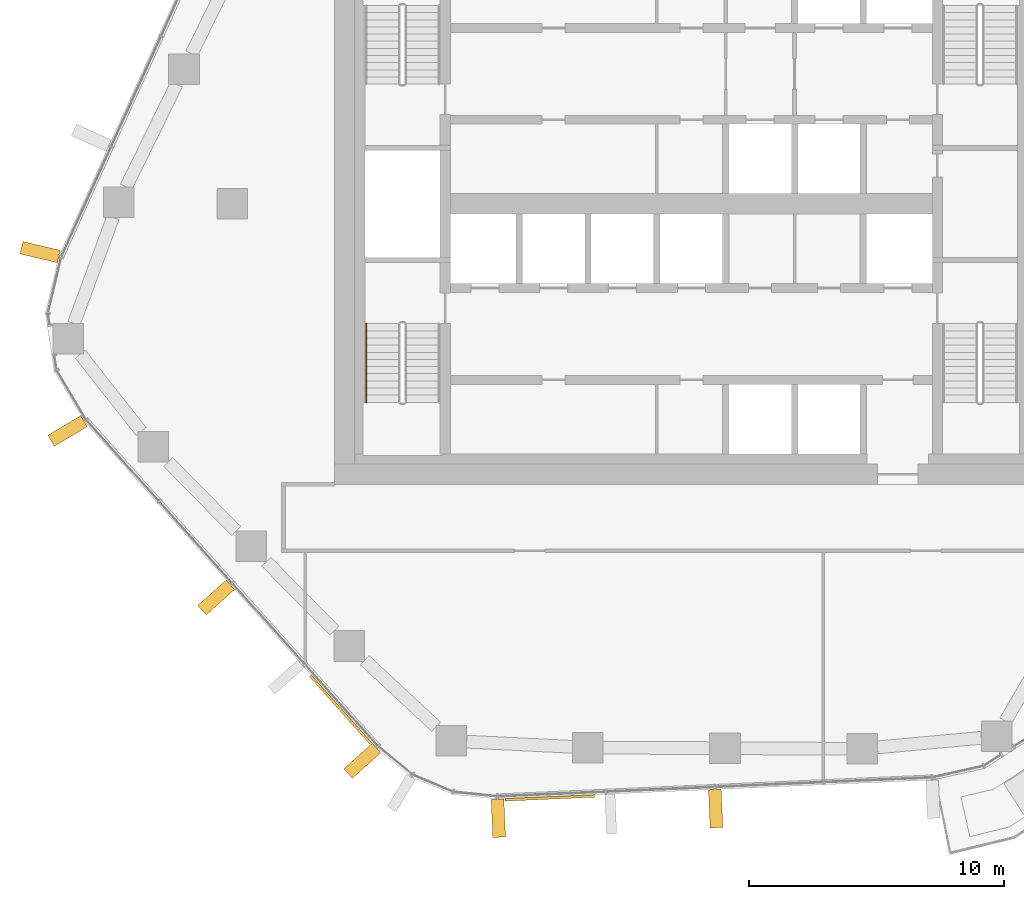
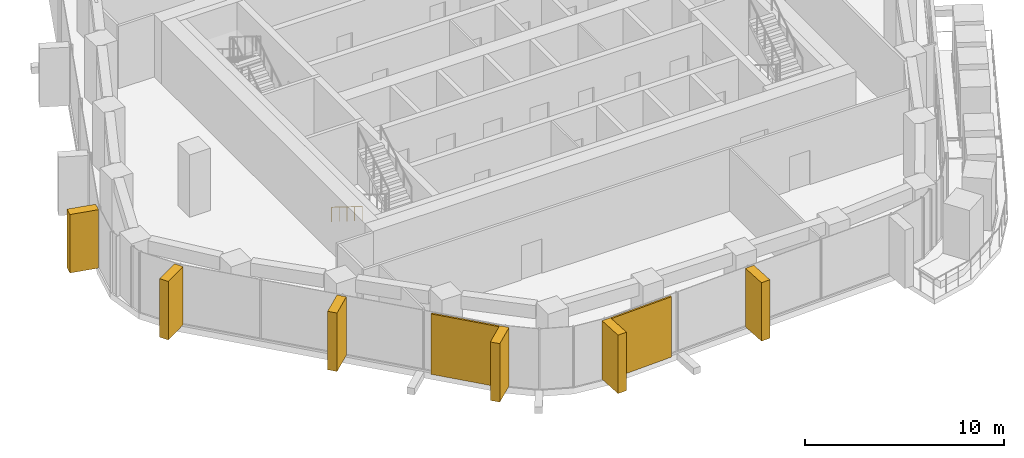
# One storey, part 14 of 17: 8 coverings, 1 railing, 4 elements without a shape of their own.
"""IFC4 building model written with IfcOpenShell, lengths in metres."""

from ifc_helpers import new_model, si_unit, direction, frame, origin, origin_2d, place, context, subcontext, project, spatial, rectangle, circle, extrude, material, layer, layer_set, material_profile, profile_set, type_object, element, aggregate, save


model = new_model("IFC4")

# Units and contexts
model_context = context("Model", 3, precision=1e-05, world=origin(), true_north=direction((0.0, 1.0)))
body_context = subcontext(model_context, "Body", "Model", "MODEL_VIEW")
ifc_project = project(units=[si_unit("LENGTHUNIT", "METRE"), si_unit("AREAUNIT", "SQUARE_METRE"), si_unit("VOLUMEUNIT", "CUBIC_METRE"), si_unit("PLANEANGLEUNIT", "RADIAN"), si_unit("MASSUNIT", "GRAM", prefix="KILO")], contexts=[model_context])

# Site, building, storey
site_placement = place(None, origin())
site = spatial("IfcSite", under=ifc_project, at=site_placement, CompositionType="ELEMENT")
building_placement = place(site_placement, origin())
building = spatial("IfcBuilding", under=site, at=building_placement, Name="Dongbaek Canopy Tower", CompositionType="ELEMENT")
storey_placement = place(building_placement, frame((0.0, 0.0, 175.39990234375)))
storey = spatial("IfcBuildingStorey", under=building, at=storey_placement, Name="L38", CompositionType="ELEMENT", Elevation=175.39990234375)

# Curtain wall, covering
ifc_material_1 = material(Name="Aluminium 6063-T6 pale anodised", Category="aluminium")
ifc_layer_1 = layer(ifc_material_1, 0.199951171875)
ifc_layer_set_1 = layer_set([ifc_layer_1], Name="CW-1 unitised tower curtain wall")
curtain_wall_type = type_object("IfcCurtainWallType", Name="CW-1 unitised tower curtain wall", PredefinedType="NOTDEFINED", material=ifc_layer_set_1)
curtain_wall_1_placement = place(storey_placement, origin())
curtain_wall_1 = element("IfcCurtainWall", 1, at=curtain_wall_1_placement, inside=storey, type_object=curtain_wall_type, Name="CW-1 curtain wall F3.1", PredefinedType="NOTDEFINED")
ifc_material_2 = material(Name="Perforated aluminium 6063-T6 pale metal screen", Category="aluminium")
ifc_layer_2 = layer(ifc_material_2, 0.10009765625)
ifc_layer_set_2 = layer_set([ifc_layer_2], Name="Facet screen FS1 100 pale metal")
covering_type_1 = type_object("IfcCoveringType", Name="Facet screen FS1 100 pale metal", PredefinedType="CLADDING", material=ifc_layer_set_2)
covering_1_placement = place(storey_placement, frame((-13.7568359375, -19.8359375, 0.0), z_axis=(0.0, 0.0, 1.0), x_axis=(0.666829068512, -0.745210704021, 0.0)))
covering_1 = element("IfcCovering", 2, at=covering_1_placement, type_object=covering_type_1, Name="Facet screen L38 F3", PredefinedType="CLADDING", context=body_context, shape_type="SweptSolid", body=[
    extrude(rectangle(XDim=3.5458984375, YDim=0.10009765625, at=origin_2d()), origin(), (0.0, 0.0, 1.0), 3.699951171875),
])

curtain_wall_2_placement = place(storey_placement, origin())
curtain_wall_2 = element("IfcCurtainWall", 3, at=curtain_wall_2_placement, inside=storey, type_object=curtain_wall_type, Name="CW-1 curtain wall F4.1", PredefinedType="NOTDEFINED")
covering_2_placement = place(storey_placement, frame((-5.54931640625, -23.297607421875, 0.0), z_axis=(0.0, 0.0, 1.0), x_axis=(0.9990473078, 0.043640311373, 0.0)))
covering_2 = element("IfcCovering", 4, at=covering_2_placement, type_object=covering_type_1, Name="Facet screen L38 F4", PredefinedType="CLADDING", context=body_context, shape_type="SweptSolid", body=[
    extrude(rectangle(XDim=3.5244140625, YDim=0.10009765625, at=origin_2d()), origin(), (0.0, 0.0, 1.0), 3.699951171875),
])

curtain_wall_3_placement = place(storey_placement, origin())
curtain_wall_3 = element("IfcCurtainWall", 5, at=curtain_wall_3_placement, inside=storey, type_object=curtain_wall_type, Name="CW-1 curtain wall K3.1a", PredefinedType="NOTDEFINED")
ifc_material_3 = material(Name="Aluminium 6063-T6 pale metal fin", Category="aluminium")
ifc_material_profile = material_profile(ifc_material_3, rectangle(XDim=1.5, YDim=0.5, at=origin_2d()), Name="Fin FN1 500 x 1500 pale metal")
ifc_profile_set = profile_set([ifc_material_profile], Name="Aluminium 6063-T6 pale metal fin")
covering_type_2 = type_object("IfcCoveringType", Name="Fin FN1 500 x 1500 pale metal", PredefinedType="CLADDING", material=ifc_profile_set)
covering_3_placement = place(storey_placement, frame((-25.541259765625, -1.891357421875, 0.1201171875), z_axis=(0.0, 0.0, 1.0), x_axis=(-0.973142006285, 0.230205637646, 0.0)))
covering_3 = element("IfcCovering", 6, at=covering_3_placement, type_object=covering_type_2, Name="Fin K3.1a.1", PredefinedType="CLADDING", context=body_context, shape_type="SweptSolid", body=[
    extrude(rectangle(XDim=1.5, YDim=0.5, at=origin_2d()), origin(), (0.0, 0.0, 1.0), 3.580078125),
])
aggregate(curtain_wall_3, [covering_3])

curtain_wall_4_placement = place(storey_placement, origin())
curtain_wall_4 = element("IfcCurtainWall", 7, at=curtain_wall_4_placement, inside=storey, type_object=curtain_wall_type, Name="CW-1 curtain wall K3.1b", PredefinedType="NOTDEFINED")
covering_4_placement = place(storey_placement, frame((-24.462890625, -8.90380859375, 0.1201171875), z_axis=(0.0, 0.0, 1.0), x_axis=(-0.858991947801, -0.511989095209, 0.0)))
covering_4 = element("IfcCovering", 8, at=covering_4_placement, type_object=covering_type_2, Name="Fin K3.1b.3", PredefinedType="CLADDING", context=body_context, shape_type="SweptSolid", body=[
    extrude(rectangle(XDim=1.5, YDim=0.5, at=origin_2d()), origin(), (0.0, 0.0, 1.0), 3.580078125),
])
aggregate(curtain_wall_4, [covering_4])

# Covering
covering_5_placement = place(storey_placement, frame((-18.63671875, -15.438232421875, 0.1201171875), z_axis=(0.0, 0.0, 1.0), x_axis=(-0.745210570308, -0.666829217942, 0.0)))
covering_5 = element("IfcCovering", 9, at=covering_5_placement, type_object=covering_type_2, Name="Fin F3.1.3", PredefinedType="CLADDING", context=body_context, shape_type="SweptSolid", body=[
    extrude(rectangle(XDim=1.5, YDim=0.5, at=origin_2d()), origin(), (0.0, 0.0, 1.0), 3.580078125),
])

covering_6_placement = place(storey_placement, frame((-12.906005859375, -21.8427734375, 0.1201171875), z_axis=(0.0, 0.0, 1.0), x_axis=(-0.745210570308, -0.666829217942, 0.0)))
covering_6 = element("IfcCovering", 10, at=covering_6_placement, type_object=covering_type_2, Name="Fin F3.1.5", PredefinedType="CLADDING", context=body_context, shape_type="SweptSolid", body=[
    extrude(rectangle(XDim=1.5, YDim=0.5, at=origin_2d()), origin(), (0.0, 0.0, 1.0), 3.580078125),
])

aggregate(curtain_wall_1, [covering_5, covering_6, covering_1])

covering_7_placement = place(storey_placement, frame((-7.56884765625, -24.09033203125, 0.1201171875), z_axis=(0.0, 0.0, 1.0), x_axis=(0.043640187851, -0.999047313196, 0.0)))
covering_7 = element("IfcCovering", 11, at=covering_7_placement, type_object=covering_type_2, Name="Fin F4.1.1", PredefinedType="CLADDING", context=body_context, shape_type="SweptSolid", body=[
    extrude(rectangle(XDim=1.5, YDim=0.5, at=origin_2d()), origin(), (0.0, 0.0, 1.0), 3.580078125),
])

covering_8_placement = place(storey_placement, frame((0.95458984375, -23.718017578125, 0.1201171875), z_axis=(0.0, 0.0, 1.0), x_axis=(0.043640187851, -0.999047313196, 0.0)))
covering_8 = element("IfcCovering", 12, at=covering_8_placement, type_object=covering_type_2, Name="Fin F4.1.3", PredefinedType="CLADDING", context=body_context, shape_type="SweptSolid", body=[
    extrude(rectangle(XDim=1.5, YDim=0.5, at=origin_2d()), origin(), (0.0, 0.0, 1.0), 3.580078125),
])

aggregate(curtain_wall_2, [covering_7, covering_8, covering_2])

# Railing
ifc_material_4 = material(Name="Stainless steel tube", Category="steel")
railing_type = type_object("IfcRailingType", Name="Stair handrail 900", PredefinedType="HANDRAIL", material=ifc_material_4)
railing_placement = place(storey_placement, frame((-12.75, -4.699951171875, 0.175048828125)))
element("IfcRailing", 13, at=railing_placement, inside=storey, type_object=railing_type, Name="L38 ST-D stair handrail 1", PredefinedType="HANDRAIL", context=body_context, shape_type="SweptSolid", body=[
    extrude(circle(Radius=0.02392578125, at=origin_2d()), frame((0.0, 0.0, 0.8759765625), z_axis=(0.0, -0.847998304005, 0.529998940003), x_axis=(1.0, 0.0, 0.0)), (0.0, 0.0, 1.0), 3.632080078125),
    extrude(circle(Radius=0.02099609375, at=origin_2d()), origin(), (0.0, 0.0, 1.0), 0.851806640625),
    extrude(circle(Radius=0.02099609375, at=origin_2d()), frame((0.0, -0.77001953125, 0.481201171875)), (0.0, 0.0, 1.0), 0.851806640625),
    extrude(circle(Radius=0.02099609375, at=origin_2d()), frame((0.0, -1.5400390625, 0.96240234375)), (0.0, 0.0, 1.0), 0.851806640625),
    extrude(circle(Radius=0.02099609375, at=origin_2d()), frame((0.0, -2.31005859375, 1.44384765625)), (0.0, 0.0, 1.0), 0.851806640625),
    extrude(circle(Radius=0.02099609375, at=origin_2d()), frame((0.0, -3.080078125, 1.925048828125)), (0.0, 0.0, 1.0), 0.851806640625),
])

save(model, "model.ifc")
